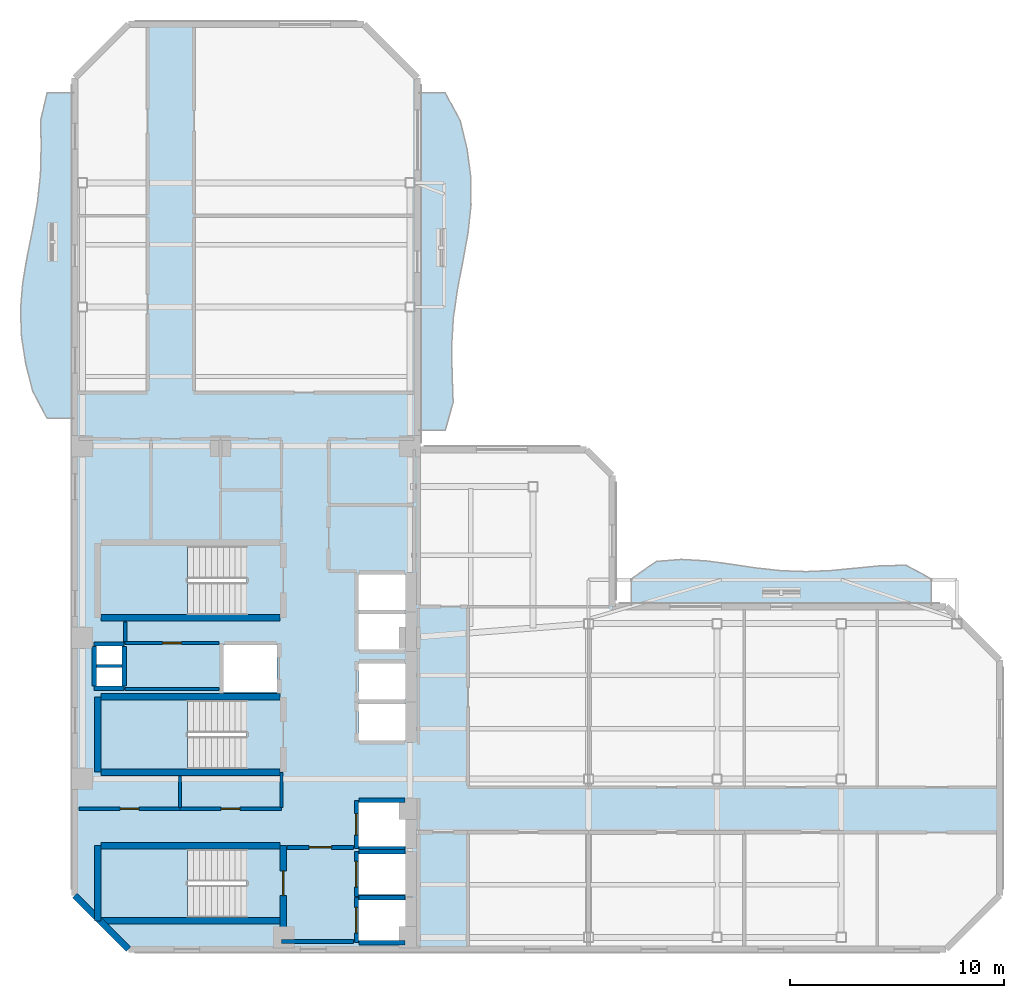
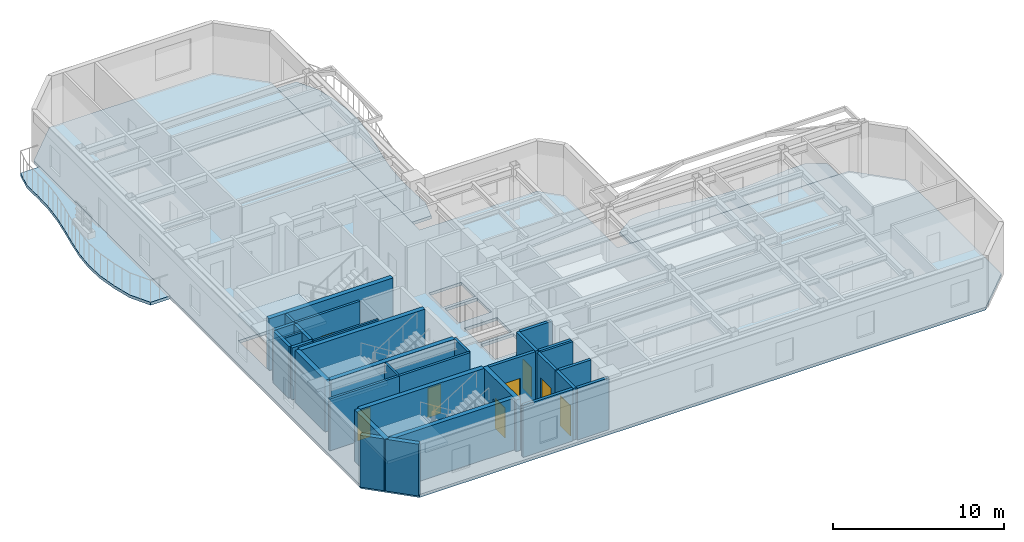
# One storey, part 2 of 13: 31 walls, 8 doors, 7 slabs, 8 openings, 3 elements without a shape of their own.
"""IFC4 building model written with IfcOpenShell, lengths in metres."""

import ifcopenshell
import ifcopenshell.guid

model = None  # the IFC model being written
_history = None  # IfcOwnerHistory: only IFC2X3 demands one
_inside = {}  # id of a spatial element -> (the spatial element, [elements in it])
_under = {}  # id of a project, library or spatial element -> (it, [spatial elements below it])
_declared = {}  # id of a project -> (the project, [libraries it declares])
_typed = {}  # id of a type object -> (the type object, [elements of that type])
_made_of = {}  # id of a material, layer set ... -> (it, [elements and type objects made of it])


def new_model(schema):
    """Start an empty IFC model of exactly this schema.

    Asked for "IFC4X3", IfcOpenShell would pick the latest addendum, in which some entities
    have other attributes; the version numbers below select the first issue.
    IFC2X3 requires an IfcOwnerHistory on every rooted entity: one is made here for all.
    """
    global model, _history
    if schema == "IFC4X3":
        model = ifcopenshell.file(schema_version=(4, 3, 0, 0))
    else:
        model = ifcopenshell.file(schema=schema)
    _inside.clear()
    _under.clear()
    _declared.clear()
    _typed.clear()
    _made_of.clear()
    _history = None
    if model.schema == "IFC2X3":
        org = make("IfcOrganization", Name="unknown")
        user = make(
            "IfcPersonAndOrganization",
            ThePerson=make("IfcPerson", FamilyName="unknown"),
            TheOrganization=org,
        )
        app = make(
            "IfcApplication",
            ApplicationDeveloper=org,
            Version="unknown",
            ApplicationFullName="unknown",
            ApplicationIdentifier="unknown",
        )
        _history = make(
            "IfcOwnerHistory",
            OwningUser=user,
            OwningApplication=app,
            ChangeAction="ADDED",
            CreationDate=0,
        )
    return model


def make(cls, **values):
    """One entity of the class cls with the attributes given. An attribute that is None is left unset."""
    return model.create_entity(
        cls, **{name: value for name, value in values.items() if value is not None}
    )


def rooted(cls, **values):
    """An entity with a GlobalId (a new one), such as an element, a storey or a relation."""
    return make(cls, GlobalId=ifcopenshell.guid.new(), OwnerHistory=_history, **values)


def si_unit(unit_type, name, prefix=None):
    """IfcSIUnit, for example si_unit("LENGTHUNIT", "METRE", prefix="MILLI")."""
    return make("IfcSIUnit", UnitType=unit_type, Prefix=prefix, Name=name)


def assignment(units):
    """IfcUnitAssignment: the units of a project."""
    return None if units is None else make("IfcUnitAssignment", Units=units)


def point(xyz):
    """IfcCartesianPoint."""
    return None if xyz is None else make("IfcCartesianPoint", Coordinates=xyz)


def direction(xyz):
    """IfcDirection."""
    return None if xyz is None else make("IfcDirection", DirectionRatios=xyz)


def frame(location, z_axis=None, x_axis=None):
    """IfcAxis2Placement3D, a coordinate frame: its origin and axes. An axis left out is left unset."""
    return make(
        "IfcAxis2Placement3D",
        Location=point(location),
        Axis=direction(z_axis),
        RefDirection=direction(x_axis),
    )


def frame_2d(location, x_axis=None):
    """IfcAxis2Placement2D, a coordinate frame in the plane: its origin and x axis."""
    return make(
        "IfcAxis2Placement2D", Location=point(location), RefDirection=direction(x_axis)
    )


def origin():
    """The frame at (0, 0, 0) with its axes left unset."""
    return frame((0.0, 0.0, 0.0))


def place(relative_to, where):
    """IfcLocalPlacement: puts the frame where relative to a parent placement (None: the world)."""
    return make(
        "IfcLocalPlacement", PlacementRelTo=relative_to, RelativePlacement=where
    )


def context(
    kind, dimensions, precision=None, world=None, true_north=None, identifier=None
):
    """IfcGeometricRepresentationContext, for example the 3D "Model" context."""
    return make(
        "IfcGeometricRepresentationContext",
        ContextIdentifier=identifier,
        ContextType=kind,
        CoordinateSpaceDimension=dimensions,
        Precision=precision,
        WorldCoordinateSystem=world,
        TrueNorth=true_north,
    )


def subcontext(parent, identifier, kind, view, scale=None):
    """IfcGeometricRepresentationSubContext, for example "Body" below "Model"."""
    return make(
        "IfcGeometricRepresentationSubContext",
        ContextIdentifier=identifier,
        ContextType=kind,
        ParentContext=parent,
        TargetScale=scale,
        TargetView=view,
    )


def project(units=None, contexts=None):
    """IfcProject with its units and contexts."""
    return rooted(
        "IfcProject",
        Name="project",
        RepresentationContexts=contexts,
        UnitsInContext=assignment(units),
    )


def spatial(cls, under=None, at=None, **own):
    """A site, building, storey or space (cls), placed at a placement, below another one or the project."""
    s = rooted(cls, ObjectPlacement=at, **own)
    if under is not None:
        _under.setdefault(under.id(), (under, []))[1].append(s)
    return s


def polyline(points):
    """IfcPolyline through the points."""
    return make("IfcPolyline", Points=[point(p) for p in points])


def profile(cls, at=None, kind="AREA", **sizes):
    """A parametric profile (cls). Its sizes go by their IFC names, for example OverallWidth=200.0."""
    return make(cls, ProfileType=kind, Position=at, **sizes)


def rectangle(**sizes):
    """IfcRectangleProfileDef."""
    return profile("IfcRectangleProfileDef", **sizes)


def outline(outer, holes=None, kind="AREA"):
    """IfcArbitraryClosedProfileDef: a profile drawn as a closed curve; with holes, ...WithVoids."""
    if holes is None:
        return make("IfcArbitraryClosedProfileDef", ProfileType=kind, OuterCurve=outer)
    return make(
        "IfcArbitraryProfileDefWithVoids",
        ProfileType=kind,
        OuterCurve=outer,
        InnerCurves=holes,
    )


def extrude(swept, where, along, depth):
    """IfcExtrudedAreaSolid: the profile swept, set in the frame where, extruded along a direction by depth."""
    return make(
        "IfcExtrudedAreaSolid",
        SweptArea=swept,
        Position=where,
        ExtrudedDirection=direction(along),
        Depth=depth,
    )


def shape(context_of_items, identifier, shape_type, items):
    """IfcShapeRepresentation: the items that make up one representation, for example the "Body"."""
    return make(
        "IfcShapeRepresentation",
        ContextOfItems=context_of_items,
        RepresentationIdentifier=identifier,
        RepresentationType=shape_type,
        Items=items,
    )


def material(Name=None, Category=None):
    """IfcMaterial."""
    return make("IfcMaterial", Name=Name, Category=Category)


def layer(
    of_material, thickness, ventilated=None, Name=None, Category=None, Priority=None
):
    """IfcMaterialLayer: one layer of a wall or slab, of a material (None: an air gap)."""
    return make(
        "IfcMaterialLayer",
        Material=of_material,
        LayerThickness=thickness,
        IsVentilated=ventilated,
        Name=Name,
        Category=Category,
        Priority=Priority,
    )


def layer_set(layers, Name=None):
    """IfcMaterialLayerSet."""
    return make("IfcMaterialLayerSet", MaterialLayers=layers, LayerSetName=Name)


def made_of(thing, what):
    """Note that an element or type object is made of a material, layer set ...; save() writes the relation."""
    if what is not None:
        _made_of.setdefault(what.id(), (what, []))[1].append(thing)
    return thing


def type_object(cls, material=None, **own):
    """A type object (cls), such as IfcWallType, which elements share."""
    return made_of(rooted(cls, **own), material)


def element(
    cls,
    number,
    at=None,
    inside=None,
    cuts=None,
    type_object=None,
    material=None,
    context=None,
    identifier="Body",
    shape_type=None,
    held_by="IfcProductDefinitionShape",
    body=None,
    shapes=None,
    **own,
):
    """One element of the class cls, such as IfcWall. Its Tag is "e" and its number.

    at: its placement. inside: the storey or other place that contains it. cuts: it is an
    opening in that element (IfcRelVoidsElement). A single representation is given by context,
    identifier, shape_type and body (its items); several are given by shapes. held_by: the class
    of the entity that holds the representations. save() writes the other relations.
    """
    e = rooted(cls, Tag="e%d" % number, ObjectPlacement=at, **own)
    if body is not None:
        shapes = [shape(context, identifier, shape_type, body)]
    if shapes is not None:
        e.Representation = make(held_by, Representations=shapes)
    if inside is not None:
        _inside.setdefault(inside.id(), (inside, []))[1].append(e)
    if cuts is not None:
        rooted(
            "IfcRelVoidsElement", RelatingBuildingElement=cuts, RelatedOpeningElement=e
        )
    if type_object is not None:
        _typed.setdefault(type_object.id(), (type_object, []))[1].append(e)
    return made_of(e, material)


def fill(opening, filler):
    """IfcRelFillsElement: the door or window that sits in an opening."""
    return rooted(
        "IfcRelFillsElement",
        RelatingOpeningElement=opening,
        RelatedBuildingElement=filler,
    )


def aggregate(whole, parts):
    """IfcRelAggregates: a whole, such as a stair, and the parts it consists of."""
    return rooted("IfcRelAggregates", RelatingObject=whole, RelatedObjects=parts)


def save(model, path):
    """Write the relations noted so far, then the file.

    IfcRelAggregates (storeys below a building ...), IfcRelContainedInSpatialStructure (elements
    in a storey), IfcRelDefinesByType, IfcRelAssociatesMaterial and IfcRelDeclares: one each for
    every whole, place, type object, material and project.
    """
    for whole, parts in _under.values():
        aggregate(whole, parts)
    for where, things in _inside.values():
        rooted(
            "IfcRelContainedInSpatialStructure",
            RelatedElements=things,
            RelatingStructure=where,
        )
    for kind, things in _typed.values():
        rooted("IfcRelDefinesByType", RelatedObjects=things, RelatingType=kind)
    for what, things in _made_of.values():
        rooted("IfcRelAssociatesMaterial", RelatedObjects=things, RelatingMaterial=what)
    for by, libraries in _declared.values():
        rooted("IfcRelDeclares", RelatingContext=by, RelatedDefinitions=libraries)
    model.write(path)


model = new_model("IFC4")

# Units and contexts
model_context = context("Model", 3, precision=1e-05, world=origin(), true_north=direction((0.0, 1.0)))
body_context = subcontext(model_context, "Body", "Model", "MODEL_VIEW")
ifc_project = project(units=[si_unit("LENGTHUNIT", "METRE"), si_unit("AREAUNIT", "SQUARE_METRE"), si_unit("VOLUMEUNIT", "CUBIC_METRE"), si_unit("PLANEANGLEUNIT", "RADIAN"), si_unit("MASSUNIT", "GRAM", prefix="KILO")], contexts=[model_context])

# Site, building, storey
site_placement = place(None, origin())
site = spatial("IfcSite", under=ifc_project, at=site_placement, CompositionType="ELEMENT")
building_placement = place(site_placement, origin())
building = spatial("IfcBuilding", under=site, at=building_placement, Name="Mawjaban Terraces University", CompositionType="ELEMENT")
storey_placement = place(building_placement, frame((0.0, 0.0, 199.199951171875)))
storey = spatial("IfcBuildingStorey", under=building, at=storey_placement, Name="L48", CompositionType="ELEMENT", Elevation=199.199951171875)

# Slabs
ifc_material_1 = material(Name="Concrete C40/50", Category="concrete")
ifc_layer_1 = layer(ifc_material_1, 0.2099609375)
ifc_layer_set_1 = layer_set([ifc_layer_1], Name="Concrete C40/50")
slab_type_1 = type_object("IfcSlabType", Name="BalconySlab_210_Ext", PredefinedType="FLOOR", material=ifc_layer_set_1)
slab_1_placement = place(storey_placement, frame((0.0, 0.0, -0.2099609375)))
element("IfcSlab", 1, at=slab_1_placement, inside=storey, type_object=slab_type_1, Name="L48 Planted Balcony Slab west", PredefinedType="FLOOR", context=body_context, shape_type="SweptSolid", body=[
    extrude(outline(polyline([(22.010009765625, 24.800048828125), (22.010009765625, 40.0), (20.699951171875, 40.0), (20.403076171875, 38.73291015625), (20.422119140625, 37.467041015625), (20.388916015625, 36.199951171875), (20.2548828125, 34.93310546875), (20.032958984375, 33.6669921875), (19.777099609375, 32.39990234375), (19.56201171875, 31.133056640625), (19.4580078125, 29.866943359375), (19.506103515625, 28.60009765625), (19.705078125, 27.3330078125), (20.02392578125, 26.06689453125), (20.699951171875, 24.800048828125), (22.010009765625, 24.800048828125)])), origin(), (0.0, 0.0, 1.0), 0.2099609375),
])
slab_2_placement = place(storey_placement, frame((0.0, 0.0, -0.2099609375)))
element("IfcSlab", 2, at=slab_2_placement, inside=storey, type_object=slab_type_1, Name="L48 Planted Balcony Slab inner_north", PredefinedType="FLOOR", context=body_context, shape_type="SweptSolid", body=[
    extrude(outline(polyline([(48.0, 15.989990234375), (62.0, 15.989990234375), (62.0, 17.300048828125), (60.8330078125, 17.927001953125), (59.6669921875, 17.909912109375), (58.5, 17.798095703125), (57.3330078125, 17.68505859375), (56.1669921875, 17.635009765625), (55.0, 17.676025390625), (53.8330078125, 17.803955078125), (52.6669921875, 17.97802734375), (51.5, 18.135009765625), (50.3330078125, 18.2041015625), (49.1669921875, 18.10888671875), (48.0, 17.300048828125), (48.0, 15.989990234375)])), origin(), (0.0, 0.0, 1.0), 0.2099609375),
])
slab_3_placement = place(storey_placement, frame((0.0, 0.0, -0.2099609375)))
element("IfcSlab", 3, at=slab_3_placement, inside=storey, type_object=slab_type_1, Name="L48 Planted Balcony Slab inner_east", PredefinedType="FLOOR", context=body_context, shape_type="SweptSolid", body=[
    extrude(outline(polyline([(39.300048828125, 24.235107421875), (39.669921875, 25.549072265625), (39.62109375, 26.863037109375), (39.59912109375, 28.176025390625), (39.677978515625, 29.489990234375), (39.866943359375, 30.803955078125), (40.1201171875, 32.116943359375), (40.360107421875, 33.430908203125), (40.50390625, 34.7451171875), (40.4951171875, 36.05908203125), (40.320068359375, 37.373046875), (40.006103515625, 38.68603515625), (39.300048828125, 40.0), (37.989990234375, 40.0), (37.989990234375, 24.235107421875), (39.300048828125, 24.235107421875)])), origin(), (0.0, 0.0, 1.0), 0.2099609375),
])
ifc_layer_2 = layer(ifc_material_1, 0.2099609375)
ifc_layer_set_2 = layer_set([ifc_layer_2], Name="Concrete C40/50")
slab_type_2 = type_object("IfcSlabType", Name="CompositeSlab_210", PredefinedType="FLOOR", material=ifc_layer_set_2)
slab_4_placement = place(storey_placement, frame((0.0, 0.0, -0.2099609375)))
element("IfcSlab", 4, at=slab_4_placement, inside=storey, type_object=slab_type_2, Name="L48 Primary Structural Slab", PredefinedType="FLOOR", context=body_context, shape_type="SweptSolid", body=[
    extrude(outline(polyline([(24.5, 0.0), (62.699951171875, 0.0), (65.199951171875, 2.5), (65.199951171875, 13.5), (62.699951171875, 16.0), (47.10009765625, 16.0), (47.10009765625, 22.135009765625), (45.89990234375, 23.3349609375), (38.0, 23.3349609375), (38.0, 40.699951171875), (35.5, 43.199951171875), (24.5, 43.199951171875), (22.0, 40.699951171875), (22.0, 2.5), (24.5, 0.0)]), holes=[polyline([(30.014892578125, 4.699951171875), (23.199951171875, 4.699951171875), (23.199951171875, 1.449951171875), (30.014892578125, 1.449951171875), (30.014892578125, 4.699951171875)]), polyline([(30.014892578125, 18.85009765625), (23.199951171875, 18.85009765625), (23.199951171875, 15.60009765625), (30.014892578125, 15.60009765625), (30.014892578125, 18.85009765625)]), polyline([(30.014892578125, 11.64990234375), (23.199951171875, 11.64990234375), (23.199951171875, 8.39990234375), (30.014892578125, 8.39990234375), (30.014892578125, 11.64990234375)]), polyline([(35.25, 0.39990234375), (37.449951171875, 0.39990234375), (37.449951171875, 2.300048828125), (35.25, 2.300048828125), (35.25, 0.39990234375)]), polyline([(35.25, 2.550048828125), (37.449951171875, 2.550048828125), (37.449951171875, 4.449951171875), (35.25, 4.449951171875), (35.25, 2.550048828125)]), polyline([(35.25, 4.800048828125), (37.449951171875, 4.800048828125), (37.449951171875, 6.85009765625), (35.25, 6.85009765625), (35.25, 4.800048828125)]), polyline([(35.25, 9.75), (37.449951171875, 9.75), (37.449951171875, 11.449951171875), (35.25, 11.449951171875), (35.25, 9.75)]), polyline([(35.25, 11.64990234375), (37.449951171875, 11.64990234375), (37.449951171875, 13.35009765625), (35.25, 13.35009765625), (35.25, 11.64990234375)]), polyline([(28.949951171875, 12.0), (31.449951171875, 12.0), (31.449951171875, 14.199951171875), (28.949951171875, 14.199951171875), (28.949951171875, 12.0)]), polyline([(35.25, 14.0), (37.449951171875, 14.0), (37.449951171875, 15.64990234375), (35.25, 15.64990234375), (35.25, 14.0)]), polyline([(35.25, 15.85009765625), (37.449951171875, 15.85009765625), (37.449951171875, 17.5), (35.25, 17.5), (35.25, 15.85009765625)]), polyline([(23.0, 12.25), (24.199951171875, 12.25), (24.199951171875, 13.14990234375), (23.0, 13.14990234375), (23.0, 12.25)]), polyline([(23.0, 13.300048828125), (24.199951171875, 13.300048828125), (24.199951171875, 14.179931640625), (23.0, 14.179931640625), (23.0, 13.300048828125)])]), origin(), (0.0, 0.0, 1.0), 0.2099609375),
])

# Stair, slab
stair_type = type_object("IfcStairType", Name="Stair_Core1550_H39", PredefinedType="HALF_TURN_STAIR", material=ifc_material_1)
stair_1_placement = place(storey_placement, origin())
stair_1 = element("IfcStair", 5, at=stair_1_placement, inside=storey, type_object=stair_type, Name="L48 Core Exit Stair 1", PredefinedType="HALF_TURN_STAIR")
ifc_layer_3 = layer(ifc_material_1, 0.199951171875)
ifc_layer_set_3 = layer_set([ifc_layer_3], Name="Concrete C40/50")
slab_type_3 = type_object("IfcSlabType", Name="StairLandingSlab_200", PredefinedType="LANDING", material=ifc_layer_set_3)
slab_5_placement = place(storey_placement, frame((0.0, 0.0, 1.75)))
slab_5 = element("IfcSlab", 6, at=slab_5_placement, type_object=slab_type_3, Name="ST-1 landing 1", PredefinedType="LANDING", context=body_context, shape_type="SweptSolid", body=[
    extrude(outline(polyline([(27.25, 4.699951171875), (23.199951171875, 4.699951171875), (23.199951171875, 1.449951171875), (27.25, 1.449951171875), (27.25, 4.699951171875)])), origin(), (0.0, 0.0, 1.0), 0.199951171875),
])
aggregate(stair_1, [slab_5])

stair_2_placement = place(storey_placement, origin())
stair_2 = element("IfcStair", 7, at=stair_2_placement, inside=storey, type_object=stair_type, Name="L48 Core Exit Stair 2", PredefinedType="HALF_TURN_STAIR")
slab_6_placement = place(storey_placement, frame((0.0, 0.0, 1.75)))
slab_6 = element("IfcSlab", 8, at=slab_6_placement, type_object=slab_type_3, Name="ST-2 landing 1", PredefinedType="LANDING", context=body_context, shape_type="SweptSolid", body=[
    extrude(outline(polyline([(27.25, 18.85009765625), (23.199951171875, 18.85009765625), (23.199951171875, 15.60009765625), (27.25, 15.60009765625), (27.25, 18.85009765625)])), origin(), (0.0, 0.0, 1.0), 0.199951171875),
])
aggregate(stair_2, [slab_6])

stair_3_placement = place(storey_placement, origin())
stair_3 = element("IfcStair", 9, at=stair_3_placement, inside=storey, type_object=stair_type, Name="L48 Core Exit Stair 3", PredefinedType="HALF_TURN_STAIR")
slab_7_placement = place(storey_placement, frame((0.0, 0.0, 1.75)))
slab_7 = element("IfcSlab", 10, at=slab_7_placement, type_object=slab_type_3, Name="ST-3 landing 1", PredefinedType="LANDING", context=body_context, shape_type="SweptSolid", body=[
    extrude(outline(polyline([(27.25, 11.64990234375), (23.199951171875, 11.64990234375), (23.199951171875, 8.39990234375), (27.25, 8.39990234375), (27.25, 11.64990234375)])), origin(), (0.0, 0.0, 1.0), 0.199951171875),
])
aggregate(stair_3, [slab_7])

# Wall, opening, door
ifc_material_2 = material(Name="Fire-rated gypsum board on steel stud", Category="steel")
ifc_layer_4 = layer(ifc_material_2, 0.159912109375)
ifc_layer_set_4 = layer_set([ifc_layer_4], Name="Fire-rated gypsum board on steel stud")
wall_type_1 = type_object("IfcWallType", Name="CorridorPartition_160", PredefinedType="PARTITIONING", material=ifc_layer_set_4)
wall_1_placement = place(storey_placement, frame((24.35009765625, 14.300048828125, 0.0), z_axis=(0.0, 0.0, 1.0), x_axis=(1.0, 0.0, 0.0)))
wall_1 = element("IfcWall", 11, at=wall_1_placement, inside=storey, type_object=wall_type_1, Name="L48 Core Riser Access Passage Partition 2", PredefinedType="PARTITIONING", context=body_context, shape_type="SweptSolid", body=[
    extrude(rectangle(XDim=4.369873046875, YDim=0.159912109375, at=frame_2d((2.18505859375, 0.0))), origin(), (0.0, 0.0, 1.0), 3.68994140625),
])
opening_1_placement = place(wall_1_placement, frame((1.7451171875, 0.0, 0.0)))
opening_1 = element("IfcOpeningElement", 12, at=opening_1_placement, cuts=wall_1, Name="Opening ID-088", PredefinedType="OPENING", context=body_context, shape_type="SweptSolid", body=[
    extrude(rectangle(XDim=0.8798828125, YDim=2.10009765625, at=frame_2d((0.43994140625, 1.050048828125))), frame((0.0, 0.08984375, 0.0), z_axis=(0.0, -1.0, 0.0), x_axis=(1.0, 0.0, 0.0)), (0.0, 0.0, 1.0), 0.179931640625),
])
ifc_material_3 = material(Name="Powder-coated steel frame and solid acoustic timber leaf", Category="steel")
door_type_1 = type_object("IfcDoorType", Name="ToiletDoor_880x2100", OperationType="NOTDEFINED", PredefinedType="DOOR", material=ifc_material_3)
door_1_placement = place(opening_1_placement, origin())
door_1 = element("IfcDoor", 13, at=door_1_placement, inside=storey, type_object=door_type_1, Name="L48 Ablution Room Door", OperationType="SINGLE_SWING_LEFT", OverallHeight=2.10009765625, OverallWidth=0.8798828125, PredefinedType="DOOR", context=body_context, shape_type="SweptSolid", body=[
    extrude(rectangle(XDim=0.8798828125, YDim=2.10009765625, at=frame_2d((0.43994140625, 1.050048828125))), frame((0.0, 0.02490234375, 0.0), z_axis=(0.0, -1.0, 0.0), x_axis=(1.0, 0.0, 0.0)), (0.0, 0.0, 1.0), 0.050048828125),
])
fill(opening_1, door_1)

wall_2_placement = place(storey_placement, frame((26.89990234375, 6.550048828125, 0.0), z_axis=(0.0, 0.0, 1.0), x_axis=(-1.0, 0.0, 0.0)))
wall_2 = element("IfcWall", 14, at=wall_2_placement, inside=storey, type_object=wall_type_1, Name="L48 Core Washroom Lobby Partition 6", PredefinedType="PARTITIONING", context=body_context, shape_type="SweptSolid", body=[
    extrude(rectangle(XDim=4.699951171875, YDim=0.159912109375, at=frame_2d((2.35009765625, 0.0))), origin(), (0.0, 0.0, 1.0), 3.68994140625),
])
opening_2_placement = place(wall_2_placement, frame((1.909912109375, 0.0, 0.0)))
opening_2 = element("IfcOpeningElement", 15, at=opening_2_placement, cuts=wall_2, Name="Opening ID-088", PredefinedType="OPENING", context=body_context, shape_type="SweptSolid", body=[
    extrude(rectangle(XDim=0.8798828125, YDim=2.10009765625, at=frame_2d((0.43994140625, 1.050048828125))), frame((0.0, 0.08984375, 0.0), z_axis=(0.0, -1.0, 0.0), x_axis=(1.0, 0.0, 0.0)), (0.0, 0.0, 1.0), 0.179931640625),
])
door_2_placement = place(opening_2_placement, origin())
door_2 = element("IfcDoor", 16, at=door_2_placement, inside=storey, type_object=door_type_1, Name="L48 Male Toilet Door", OperationType="SINGLE_SWING_LEFT", OverallHeight=2.10009765625, OverallWidth=0.8798828125, PredefinedType="DOOR", context=body_context, shape_type="SweptSolid", body=[
    extrude(rectangle(XDim=0.8798828125, YDim=2.10009765625, at=frame_2d((0.43994140625, 1.050048828125))), frame((0.0, 0.02490234375, 0.0), z_axis=(0.0, -1.0, 0.0), x_axis=(1.0, 0.0, 0.0)), (0.0, 0.0, 1.0), 0.050048828125),
])
fill(opening_2, door_2)

wall_3_placement = place(storey_placement, frame((31.64990234375, 6.550048828125, 0.0), z_axis=(0.0, 0.0, 1.0), x_axis=(-1.0, 0.0, 0.0)))
wall_3 = element("IfcWall", 17, at=wall_3_placement, inside=storey, type_object=wall_type_1, Name="L48 Core Washroom Lobby Partition 9", PredefinedType="PARTITIONING", context=body_context, shape_type="SweptSolid", body=[
    extrude(rectangle(XDim=4.75, YDim=0.159912109375, at=frame_2d((2.375, 0.0))), origin(), (0.0, 0.0, 1.0), 3.68994140625),
])
opening_3_placement = place(wall_3_placement, frame((1.93505859375, 0.0, 0.0)))
opening_3 = element("IfcOpeningElement", 18, at=opening_3_placement, cuts=wall_3, Name="Opening ID-088", PredefinedType="OPENING", context=body_context, shape_type="SweptSolid", body=[
    extrude(rectangle(XDim=0.8798828125, YDim=2.10009765625, at=frame_2d((0.43994140625, 1.050048828125))), frame((0.0, 0.08984375, 0.0), z_axis=(0.0, -1.0, 0.0), x_axis=(1.0, 0.0, 0.0)), (0.0, 0.0, 1.0), 0.179931640625),
])
door_3_placement = place(opening_3_placement, origin())
door_3 = element("IfcDoor", 19, at=door_3_placement, inside=storey, type_object=door_type_1, Name="L48 Accessible Toilet Door", OperationType="SINGLE_SWING_RIGHT", OverallHeight=2.10009765625, OverallWidth=0.8798828125, PredefinedType="DOOR", context=body_context, shape_type="SweptSolid", body=[
    extrude(rectangle(XDim=0.8798828125, YDim=2.10009765625, at=frame_2d((0.43994140625, 1.050048828125))), frame((0.0, 0.02490234375, 0.0), z_axis=(0.0, -1.0, 0.0), x_axis=(1.0, 0.0, 0.0)), (0.0, 0.0, 1.0), 0.050048828125),
])
fill(opening_3, door_3)

# Walls
wall_4_placement = place(storey_placement, frame((24.35009765625, 15.2900390625, 0.0), z_axis=(0.0, 0.0, 1.0), x_axis=(0.0, -1.0, 0.0)))
element("IfcWall", 20, at=wall_4_placement, inside=storey, type_object=wall_type_1, Name="L48 Core Riser Access Passage Partition 30", PredefinedType="PARTITIONING", context=body_context, shape_type="SweptSolid", body=[
    extrude(rectangle(XDim=0.9150390625, YDim=0.159912109375, at=frame_2d((0.45751953125, 0.0))), origin(), (0.0, 0.0, 1.0), 3.68994140625),
])
wall_5_placement = place(storey_placement, frame((31.64990234375, 8.239990234375, 0.0), z_axis=(0.0, 0.0, 1.0), x_axis=(0.0, -1.0, 0.0)))
element("IfcWall", 21, at=wall_5_placement, inside=storey, type_object=wall_type_1, Name="L48 High-Rise Lift Lobby Partition 39", PredefinedType="PARTITIONING", context=body_context, shape_type="SweptSolid", body=[
    extrude(rectangle(XDim=1.614990234375, YDim=0.159912109375, at=frame_2d((0.8076171875, 0.0))), origin(), (0.0, 0.0, 1.0), 3.68994140625),
])
ifc_material_4 = material(Name="Insulated terracotta rainscreen on concrete backup C40/50", Category="masonry")
ifc_layer_5 = layer(ifc_material_4, 0.300048828125)
ifc_layer_set_5 = layer_set([ifc_layer_5], Name="Insulated terracotta rainscreen on concrete backup C40/50")
wall_type_2 = type_object("IfcWallType", Name="ExtTerracottaWall_300", PredefinedType="SOLIDWALL", material=ifc_layer_set_5)
wall_6_placement = place(storey_placement, frame((22.0, 2.5, 0.0), z_axis=(0.0, 0.0, 1.0), x_axis=(0.707106781187, -0.707106781187, 0.0)))
element("IfcWall", 22, at=wall_6_placement, inside=storey, type_object=wall_type_2, Name="L48 Exterior Terracotta Wall 14", PredefinedType="SOLIDWALL", context=body_context, shape_type="SweptSolid", body=[
    extrude(rectangle(XDim=3.53564453125, YDim=0.300048828125, at=frame_2d((1.767822265625, 0.0))), origin(), (0.0, 0.0, 1.0), 3.68994140625),
])

# Wall, opening, door
ifc_layer_6 = layer(ifc_material_1, 0.199951171875)
ifc_layer_set_6 = layer_set([ifc_layer_6], Name="Concrete C40/50")
wall_type_3 = type_object("IfcWallType", Name="FireLobbyWall_200", PredefinedType="SOLIDWALL", material=ifc_layer_set_6)
wall_7_placement = place(storey_placement, frame((35.14990234375, 2.39990234375, 0.0), z_axis=(0.0, 0.0, 1.0), x_axis=(0.0, -1.0, 0.0)))
wall_7 = element("IfcWall", 23, at=wall_7_placement, inside=storey, type_object=wall_type_3, Name="L48 Lift FL-1 Hoistway Wall West", PredefinedType="SOLIDWALL", context=body_context, shape_type="SweptSolid", body=[
    extrude(rectangle(XDim=2.099853515625, YDim=0.199951171875, at=frame_2d((1.0498046875, 0.0))), origin(), (0.0, 0.0, 1.0), 3.68994140625),
])
opening_4_placement = place(wall_7_placement, frame((0.449951171875, 0.0, 0.0)))
opening_4 = element("IfcOpeningElement", 24, at=opening_4_placement, cuts=wall_7, Name="Opening LD-FL-1", PredefinedType="OPENING", context=body_context, shape_type="SweptSolid", body=[
    extrude(rectangle(XDim=1.199951171875, YDim=2.14990234375, at=frame_2d((0.60009765625, 1.074951171875))), frame((0.0, 0.10986328125, 0.0), z_axis=(0.0, -1.0, 0.0), x_axis=(1.0, 0.0, 0.0)), (0.0, 0.0, 1.0), 0.219970703125),
])
ifc_material_5 = material(Name="Powder-coated steel frame and fire-rated steel-faced leaf", Category="steel")
door_type_2 = type_object("IfcDoorType", Name="LiftLandingFSAE_1200x2150", OperationType="NOTDEFINED", PredefinedType="DOOR", material=ifc_material_5)
door_4_placement = place(opening_4_placement, origin())
door_4 = element("IfcDoor", 25, at=door_4_placement, inside=storey, type_object=door_type_2, Name="L48 Lift FL-1 Sliding Landing Door", OperationType="DOUBLE_DOOR_SLIDING", OverallHeight=2.14990234375, OverallWidth=1.199951171875, PredefinedType="DOOR", context=body_context, shape_type="SweptSolid", body=[
    extrude(rectangle(XDim=1.199951171875, YDim=2.14990234375, at=frame_2d((0.60009765625, 1.074951171875))), frame((0.0, 0.02490234375, 0.0), z_axis=(0.0, -1.0, 0.0), x_axis=(1.0, 0.0, 0.0)), (0.0, 0.0, 1.0), 0.050048828125),
])
fill(opening_4, door_4)

# Walls
for number, where, z_axis, x_axis, name in (
    (26, (35.280029296875, 0.300048828125, 0.0), (0.0, 0.0, 1.0), (1.0, 0.0, 0.0), "L48 Lift FL-1 Hoistway Wall South"),
    (27, (37.419921875, 2.39990234375, 0.0), (0.0, 0.0, 1.0), (-1.0, 0.0, 0.0), "L48 Lift FL-1 Hoistway Wall North"),
):
    element("IfcWall", number, at=place(storey_placement, frame(where, z_axis=z_axis, x_axis=x_axis)), inside=storey, type_object=wall_type_3, Name=name, PredefinedType="SOLIDWALL", context=body_context, shape_type="SweptSolid", body=[
        extrude(rectangle(XDim=2.139892578125, YDim=0.199951171875, at=frame_2d((1.06982421875, 0.0))), origin(), (0.0, 0.0, 1.0), 3.68994140625),
    ])

# Wall, opening, door
wall_8_placement = place(storey_placement, frame((35.14990234375, 4.550048828125, 0.0), z_axis=(0.0, 0.0, 1.0), x_axis=(0.0, -1.0, 0.0)))
wall_8 = element("IfcWall", 28, at=wall_8_placement, inside=storey, type_object=wall_type_3, Name="L48 Lift FL-2 Hoistway Wall West", PredefinedType="SOLIDWALL", context=body_context, shape_type="SweptSolid", body=[
    extrude(rectangle(XDim=2.10009765625, YDim=0.199951171875, at=frame_2d((1.050048828125, 0.0))), origin(), (0.0, 0.0, 1.0), 3.68994140625),
])
opening_5_placement = place(wall_8_placement, frame((0.449951171875, 0.0, 0.0)))
opening_5 = element("IfcOpeningElement", 29, at=opening_5_placement, cuts=wall_8, Name="Opening LD-FL-2", PredefinedType="OPENING", context=body_context, shape_type="SweptSolid", body=[
    extrude(rectangle(XDim=1.199951171875, YDim=2.14990234375, at=frame_2d((0.60009765625, 1.074951171875))), frame((0.0, 0.10986328125, 0.0), z_axis=(0.0, -1.0, 0.0), x_axis=(1.0, 0.0, 0.0)), (0.0, 0.0, 1.0), 0.219970703125),
])
door_5_placement = place(opening_5_placement, origin())
door_5 = element("IfcDoor", 30, at=door_5_placement, inside=storey, type_object=door_type_2, Name="L48 Lift FL-2 Sliding Landing Door", OperationType="DOUBLE_DOOR_SLIDING", OverallHeight=2.14990234375, OverallWidth=1.199951171875, PredefinedType="DOOR", context=body_context, shape_type="SweptSolid", body=[
    extrude(rectangle(XDim=1.199951171875, YDim=2.14990234375, at=frame_2d((0.60009765625, 1.074951171875))), frame((0.0, 0.02490234375, 0.0), z_axis=(0.0, -1.0, 0.0), x_axis=(1.0, 0.0, 0.0)), (0.0, 0.0, 1.0), 0.050048828125),
])
fill(opening_5, door_5)

# Wall
wall_9_placement = place(storey_placement, frame((37.419921875, 4.550048828125, 0.0), z_axis=(0.0, 0.0, 1.0), x_axis=(-1.0, 0.0, 0.0)))
element("IfcWall", 31, at=wall_9_placement, inside=storey, type_object=wall_type_3, Name="L48 Lift FL-2 Hoistway Wall North", PredefinedType="SOLIDWALL", context=body_context, shape_type="SweptSolid", body=[
    extrude(rectangle(XDim=2.139892578125, YDim=0.199951171875, at=frame_2d((1.06982421875, 0.0))), origin(), (0.0, 0.0, 1.0), 3.68994140625),
])

# Wall, opening, door
wall_10_placement = place(storey_placement, frame((35.14990234375, 6.949951171875, 0.0), z_axis=(0.0, 0.0, 1.0), x_axis=(0.0, -1.0, 0.0)))
wall_10 = element("IfcWall", 32, at=wall_10_placement, inside=storey, type_object=wall_type_3, Name="L48 Lift SL-1 Hoistway Wall West", PredefinedType="SOLIDWALL", context=body_context, shape_type="SweptSolid", body=[
    extrude(rectangle(XDim=2.25, YDim=0.199951171875, at=frame_2d((1.125, 0.0))), origin(), (0.0, 0.0, 1.0), 3.68994140625),
])
opening_6_placement = place(wall_10_placement, frame((0.625, 0.0, 0.0)))
opening_6 = element("IfcOpeningElement", 33, at=opening_6_placement, cuts=wall_10, Name="Opening LD-SL-1", PredefinedType="OPENING", context=body_context, shape_type="SweptSolid", body=[
    extrude(rectangle(XDim=1.0, YDim=2.10009765625, at=frame_2d((0.5, 1.050048828125))), frame((0.0, 0.10986328125, 0.0), z_axis=(0.0, -1.0, 0.0), x_axis=(1.0, 0.0, 0.0)), (0.0, 0.0, 1.0), 0.219970703125),
])
door_type_3 = type_object("IfcDoorType", Name="LiftLandingSliding_1000x2100", OperationType="NOTDEFINED", PredefinedType="DOOR", material=ifc_material_5)
door_6_placement = place(opening_6_placement, origin())
door_6 = element("IfcDoor", 34, at=door_6_placement, inside=storey, type_object=door_type_3, Name="L48 Lift SL-1 Sliding Landing Door", OperationType="DOUBLE_DOOR_SLIDING", OverallHeight=2.10009765625, OverallWidth=1.0, PredefinedType="DOOR", context=body_context, shape_type="SweptSolid", body=[
    extrude(rectangle(XDim=1.0, YDim=2.10009765625, at=frame_2d((0.5, 1.050048828125))), frame((0.0, 0.02490234375, 0.0), z_axis=(0.0, -1.0, 0.0), x_axis=(1.0, 0.0, 0.0)), (0.0, 0.0, 1.0), 0.050048828125),
])
fill(opening_6, door_6)

# Walls
for number, where, z_axis, x_axis, name in (
    (35, (35.280029296875, 4.699951171875, 0.0), (0.0, 0.0, 1.0), (1.0, 0.0, 0.0), "L48 Lift SL-1 Hoistway Wall South"),
    (36, (37.419921875, 6.949951171875, 0.0), (0.0, 0.0, 1.0), (-1.0, 0.0, 0.0), "L48 Lift SL-1 Hoistway Wall North"),
):
    element("IfcWall", number, at=place(storey_placement, frame(where, z_axis=z_axis, x_axis=x_axis)), inside=storey, type_object=wall_type_3, Name=name, PredefinedType="SOLIDWALL", context=body_context, shape_type="SweptSolid", body=[
        extrude(rectangle(XDim=2.139892578125, YDim=0.199951171875, at=frame_2d((1.06982421875, 0.0))), origin(), (0.0, 0.0, 1.0), 3.68994140625),
    ])
for number, where, z_axis, x_axis, name in (
    (37, (22.89990234375, 14.25, 0.0), (0.0, 0.0, 1.0), (1.0, 0.0, 0.0), "L48 MEP Riser Shaft Wall N"),
    (38, (22.89990234375, 12.179931640625, 0.0), (0.0, 0.0, 1.0), (1.0, 0.0, 0.0), "L48 MEP Riser Shaft Wall S"),
):
    element("IfcWall", number, at=place(storey_placement, frame(where, z_axis=z_axis, x_axis=x_axis)), inside=storey, type_object=wall_type_3, Name=name, PredefinedType="SOLIDWALL", context=body_context, shape_type="SweptSolid", body=[
        extrude(rectangle(XDim=1.400146484375, YDim=0.199951171875, at=frame_2d((0.7001953125, 0.0))), origin(), (0.0, 0.0, 1.0), 3.68994140625),
    ])
for number, where, z_axis, x_axis, name in (
    (39, (24.300048828125, 12.300048828125, 0.0), (0.0, 0.0, 1.0), (0.0, 1.0, 0.0), "L48 MEP Riser Shaft Wall E"),
    (40, (22.89990234375, 12.300048828125, 0.0), (0.0, 0.0, 1.0), (0.0, 1.0, 0.0), "L48 MEP Riser Shaft Wall W"),
):
    element("IfcWall", number, at=place(storey_placement, frame(where, z_axis=z_axis, x_axis=x_axis)), inside=storey, type_object=wall_type_3, Name=name, PredefinedType="SOLIDWALL", context=body_context, shape_type="SweptSolid", body=[
        extrude(rectangle(XDim=1.829833984375, YDim=0.199951171875, at=frame_2d((0.9150390625, 0.0))), origin(), (0.0, 0.0, 1.0), 3.68994140625),
    ])
wall_11_placement = place(storey_placement, frame((31.64990234375, 0.35009765625, 0.0), z_axis=(0.0, 0.0, 1.0), x_axis=(1.0, 0.0, 0.0)))
element("IfcWall", 41, at=wall_11_placement, inside=storey, type_object=wall_type_3, Name="L48 Firefighting Lift Lobby Partition 8", PredefinedType="SOLIDWALL", context=body_context, shape_type="SweptSolid", body=[
    extrude(rectangle(XDim=3.3701171875, YDim=0.199951171875, at=frame_2d((1.68505859375, 0.0))), origin(), (0.0, 0.0, 1.0), 3.68994140625),
])

# Wall, opening, door
wall_12_placement = place(storey_placement, frame((35.02001953125, 4.75, 0.0), z_axis=(0.0, 0.0, 1.0), x_axis=(-1.0, 0.0, 0.0)))
wall_12 = element("IfcWall", 42, at=wall_12_placement, inside=storey, type_object=wall_type_3, Name="L48 Firefighting Lift Lobby Partition 13", PredefinedType="SOLIDWALL", context=body_context, shape_type="SweptSolid", body=[
    extrude(rectangle(XDim=3.110107421875, YDim=0.199951171875, at=frame_2d((1.55517578125, 0.0))), origin(), (0.0, 0.0, 1.0), 3.68994140625),
])
opening_7_placement = place(wall_12_placement, frame((1.030029296875, 0.0, 0.0)))
opening_7 = element("IfcOpeningElement", 43, at=opening_7_placement, cuts=wall_12, Name="Opening FD-105", PredefinedType="OPENING", context=body_context, shape_type="SweptSolid", body=[
    extrude(rectangle(XDim=1.050048828125, YDim=2.14990234375, at=frame_2d((0.52490234375, 1.074951171875))), frame((0.0, 0.10986328125, 0.0), z_axis=(0.0, -1.0, 0.0), x_axis=(1.0, 0.0, 0.0)), (0.0, 0.0, 1.0), 0.219970703125),
])
door_type_4 = type_object("IfcDoorType", Name="FireLobbyDoor_1050x2150", OperationType="NOTDEFINED", PredefinedType="DOOR", material=ifc_material_5)
door_7_placement = place(opening_7_placement, origin())
door_7 = element("IfcDoor", 44, at=door_7_placement, inside=storey, type_object=door_type_4, Name="L48 Firefighting Lift Lobby Door", OperationType="SINGLE_SWING_RIGHT", OverallHeight=2.14990234375, OverallWidth=1.050048828125, PredefinedType="DOOR", context=body_context, shape_type="SweptSolid", body=[
    extrude(rectangle(XDim=1.050048828125, YDim=2.14990234375, at=frame_2d((0.52490234375, 1.074951171875))), frame((0.0, 0.02490234375, 0.0), z_axis=(0.0, -1.0, 0.0), x_axis=(1.0, 0.0, 0.0)), (0.0, 0.0, 1.0), 0.050048828125),
])
fill(opening_7, door_7)

# Walls
ifc_material_6 = material(Name="Moisture-resistant gypsum board on steel stud", Category="steel")
ifc_layer_7 = layer(ifc_material_6, 0.14501953125)
ifc_layer_set_7 = layer_set([ifc_layer_7], Name="Moisture-resistant gypsum board on steel stud")
wall_type_4 = type_object("IfcWallType", Name="LabPartition_145", PredefinedType="PARTITIONING", material=ifc_layer_set_7)
wall_13_placement = place(storey_placement, frame((23.010009765625, 13.22509765625, 0.0), z_axis=(0.0, 0.0, 1.0), x_axis=(1.0, 0.0, 0.0)))
element("IfcWall", 45, at=wall_13_placement, inside=storey, type_object=wall_type_4, Name="L48 MEP Riser Shaft Wall M", PredefinedType="PARTITIONING", context=body_context, shape_type="SweptSolid", body=[
    extrude(rectangle(XDim=1.179931640625, YDim=0.14501953125, at=frame_2d((0.58984375, 0.0))), origin(), (0.0, 0.0, 1.0), 3.68994140625),
])
ifc_material_7 = material(Name="Concrete C60/75", Category="concrete")
ifc_layer_8 = layer(ifc_material_7, 0.300048828125)
ifc_layer_set_8 = layer_set([ifc_layer_8], Name="Concrete C60/75")
wall_type_5 = type_object("IfcWallType", Name="StairShaftWall_300", PredefinedType="SHEAR", material=ifc_layer_set_8)
wall_14_placement = place(storey_placement, frame((31.580078125, 4.830078125, 0.0), z_axis=(0.0, 0.0, 1.0), x_axis=(-1.0, 0.0, 0.0)))
element("IfcWall", 46, at=wall_14_placement, inside=storey, type_object=wall_type_5, Name="L48 ST-1 Stair Shaft Wall 1", PredefinedType="SHEAR", context=body_context, shape_type="SweptSolid", body=[
    extrude(rectangle(XDim=8.360107421875, YDim=0.300048828125, at=frame_2d((4.18017578125, 0.0))), origin(), (0.0, 0.0, 1.0), 3.68994140625),
])
wall_15_placement = place(storey_placement, frame((23.070068359375, 4.830078125, 0.0), z_axis=(0.0, 0.0, 1.0), x_axis=(0.0, -1.0, 0.0)))
element("IfcWall", 47, at=wall_15_placement, inside=storey, type_object=wall_type_5, Name="L48 ST-1 Stair Shaft Wall 2", PredefinedType="SHEAR", context=body_context, shape_type="SweptSolid", body=[
    extrude(rectangle(XDim=3.510009765625, YDim=0.300048828125, at=frame_2d((1.7548828125, 0.0))), origin(), (0.0, 0.0, 1.0), 3.68994140625),
])
wall_16_placement = place(storey_placement, frame((23.219970703125, 1.320068359375, 0.0), z_axis=(0.0, 0.0, 1.0), x_axis=(1.0, 0.0, 0.0)))
element("IfcWall", 48, at=wall_16_placement, inside=storey, type_object=wall_type_5, Name="L48 ST-1 Stair Shaft Wall 3", PredefinedType="SHEAR", context=body_context, shape_type="SweptSolid", body=[
    extrude(rectangle(XDim=8.360107421875, YDim=0.300048828125, at=frame_2d((4.18017578125, 0.0))), origin(), (0.0, 0.0, 1.0), 3.68994140625),
])

# Wall, opening, door
wall_17_placement = place(storey_placement, frame((31.72998046875, 0.9599609375, 0.0), z_axis=(0.0, 0.0, 1.0), x_axis=(0.0, 1.0, 0.0)))
wall_17 = element("IfcWall", 49, at=wall_17_placement, inside=storey, type_object=wall_type_5, Name="L48 ST-1 Stair Shaft Wall 4", PredefinedType="SHEAR", context=body_context, shape_type="SweptSolid", body=[
    extrude(rectangle(XDim=3.8701171875, YDim=0.300048828125, at=frame_2d((1.93505859375, 0.0))), origin(), (0.0, 0.0, 1.0), 3.68994140625),
])
opening_8_placement = place(wall_17_placement, frame((1.5400390625, 0.0, 0.0)))
opening_8 = element("IfcOpeningElement", 50, at=opening_8_placement, cuts=wall_17, Name="Opening FD-115", PredefinedType="OPENING", context=body_context, shape_type="SweptSolid", body=[
    extrude(rectangle(XDim=1.14990234375, YDim=2.14990234375, at=frame_2d((0.574951171875, 1.074951171875))), frame((0.0, 0.159912109375, 0.0), z_axis=(0.0, -1.0, 0.0), x_axis=(1.0, 0.0, 0.0)), (0.0, 0.0, 1.0), 0.320068359375),
])
door_type_5 = type_object("IfcDoorType", Name="FireStairDoor_1150x2150", OperationType="NOTDEFINED", PredefinedType="DOOR", material=ifc_material_5)
door_8_placement = place(opening_8_placement, origin())
door_8 = element("IfcDoor", 51, at=door_8_placement, inside=storey, type_object=door_type_5, Name="L48 ST-1 Pressurised Stair Fire Door", OperationType="SINGLE_SWING_LEFT", OverallHeight=2.14990234375, OverallWidth=1.14990234375, PredefinedType="DOOR", context=body_context, shape_type="SweptSolid", body=[
    extrude(rectangle(XDim=1.14990234375, YDim=2.14990234375, at=frame_2d((0.574951171875, 1.074951171875))), frame((0.0, 0.02490234375, 0.0), z_axis=(0.0, -1.0, 0.0), x_axis=(1.0, 0.0, 0.0)), (0.0, 0.0, 1.0), 0.050048828125),
])
fill(opening_8, door_8)

# Walls
for number, where, z_axis, x_axis, name in (
    (52, (23.219970703125, 15.469970703125, 0.0), (0.0, 0.0, 1.0), (1.0, 0.0, 0.0), "L48 ST-2 Stair Shaft Wall 3"),
    (53, (31.580078125, 11.780029296875, 0.0), (0.0, 0.0, 1.0), (-1.0, 0.0, 0.0), "L48 ST-3 Stair Shaft Wall 1"),
):
    element("IfcWall", number, at=place(storey_placement, frame(where, z_axis=z_axis, x_axis=x_axis)), inside=storey, type_object=wall_type_5, Name=name, PredefinedType="SHEAR", context=body_context, shape_type="SweptSolid", body=[
        extrude(rectangle(XDim=8.360107421875, YDim=0.300048828125, at=frame_2d((4.18017578125, 0.0))), origin(), (0.0, 0.0, 1.0), 3.68994140625),
    ])
wall_18_placement = place(storey_placement, frame((23.070068359375, 11.780029296875, 0.0), z_axis=(0.0, 0.0, 1.0), x_axis=(0.0, -1.0, 0.0)))
element("IfcWall", 54, at=wall_18_placement, inside=storey, type_object=wall_type_5, Name="L48 ST-3 Stair Shaft Wall 2", PredefinedType="SHEAR", context=body_context, shape_type="SweptSolid", body=[
    extrude(rectangle(XDim=3.510009765625, YDim=0.300048828125, at=frame_2d((1.7548828125, 0.0))), origin(), (0.0, 0.0, 1.0), 3.68994140625),
])
wall_19_placement = place(storey_placement, frame((23.219970703125, 8.27001953125, 0.0), z_axis=(0.0, 0.0, 1.0), x_axis=(1.0, 0.0, 0.0)))
element("IfcWall", 55, at=wall_19_placement, inside=storey, type_object=wall_type_5, Name="L48 ST-3 Stair Shaft Wall 3", PredefinedType="SHEAR", context=body_context, shape_type="SweptSolid", body=[
    extrude(rectangle(XDim=8.360107421875, YDim=0.300048828125, at=frame_2d((4.18017578125, 0.0))), origin(), (0.0, 0.0, 1.0), 3.68994140625),
])
ifc_material_8 = material(Name="Cement-board wet-room partition", Category="masonry")
ifc_layer_9 = layer(ifc_material_8, 0.135009765625)
ifc_layer_set_9 = layer_set([ifc_layer_9], Name="Cement-board wet-room partition")
wall_type_6 = type_object("IfcWallType", Name="WetRoomPartition_135", PredefinedType="PARTITIONING", material=ifc_layer_set_9)
wall_20_placement = place(storey_placement, frame((24.35009765625, 12.14990234375, 0.0), z_axis=(0.0, 0.0, 1.0), x_axis=(1.0, 0.0, 0.0)))
element("IfcWall", 56, at=wall_20_placement, inside=storey, type_object=wall_type_6, Name="L48 Ablution Room Partition 1", PredefinedType="PARTITIONING", context=body_context, shape_type="SweptSolid", body=[
    extrude(rectangle(XDim=4.369873046875, YDim=0.135009765625, at=frame_2d((2.18505859375, 0.0))), origin(), (0.0, 0.0, 1.0), 3.68994140625),
])
wall_21_placement = place(storey_placement, frame((26.89990234375, 6.625, 0.0), z_axis=(0.0, 0.0, 1.0), x_axis=(0.0, 1.0, 0.0)))
element("IfcWall", 57, at=wall_21_placement, inside=storey, type_object=wall_type_6, Name="L48 Male Toilet Partition 34", PredefinedType="PARTITIONING", context=body_context, shape_type="SweptSolid", body=[
    extrude(rectangle(XDim=1.465087890625, YDim=0.135009765625, at=frame_2d((0.732421875, 0.0))), origin(), (0.0, 0.0, 1.0), 3.68994140625),
])

save(model, "model.ifc")
